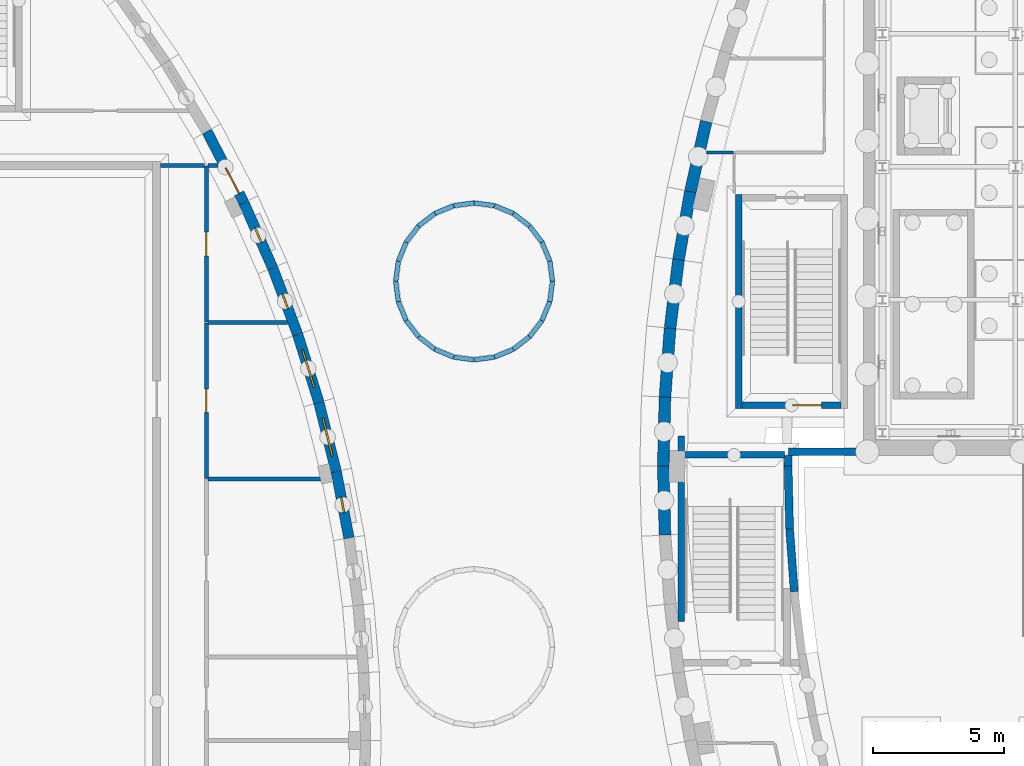
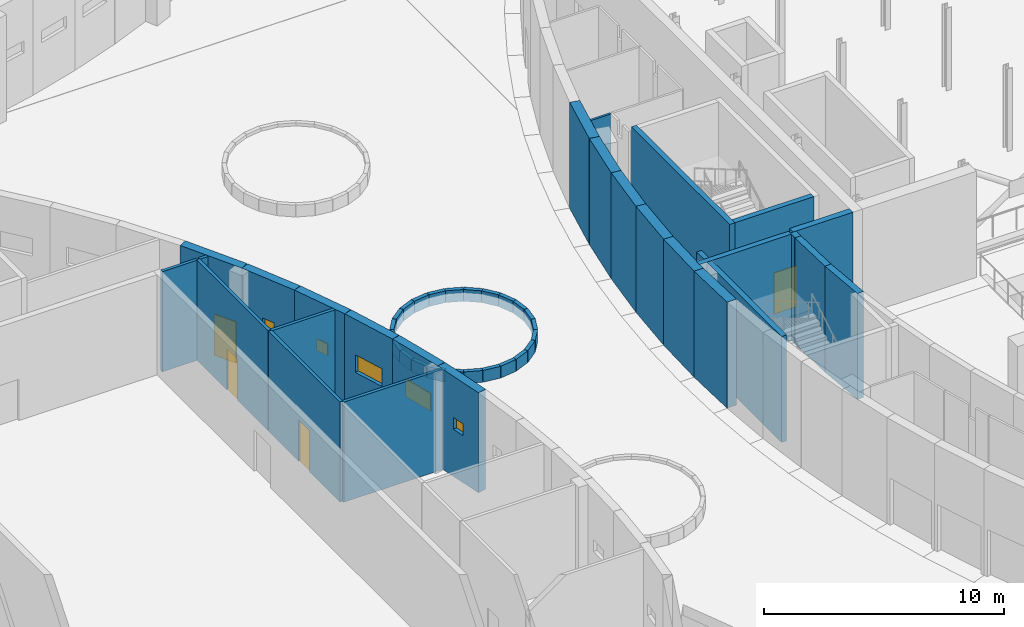
# One storey, part 46 of 82: 51 walls, 5 windows, 4 doors, 9 openings.
"""IFC4 building model written with IfcOpenShell, lengths in metres."""

import ifcopenshell
import ifcopenshell.guid

model = None  # the IFC model being written
_history = None  # IfcOwnerHistory: only IFC2X3 demands one
_inside = {}  # id of a spatial element -> (the spatial element, [elements in it])
_under = {}  # id of a project, library or spatial element -> (it, [spatial elements below it])
_declared = {}  # id of a project -> (the project, [libraries it declares])
_typed = {}  # id of a type object -> (the type object, [elements of that type])
_made_of = {}  # id of a material, layer set ... -> (it, [elements and type objects made of it])


def new_model(schema):
    """Start an empty IFC model of exactly this schema.

    Asked for "IFC4X3", IfcOpenShell would pick the latest addendum, in which some entities
    have other attributes; the version numbers below select the first issue.
    IFC2X3 requires an IfcOwnerHistory on every rooted entity: one is made here for all.
    """
    global model, _history
    if schema == "IFC4X3":
        model = ifcopenshell.file(schema_version=(4, 3, 0, 0))
    else:
        model = ifcopenshell.file(schema=schema)
    _inside.clear()
    _under.clear()
    _declared.clear()
    _typed.clear()
    _made_of.clear()
    _history = None
    if model.schema == "IFC2X3":
        org = make("IfcOrganization", Name="unknown")
        user = make(
            "IfcPersonAndOrganization",
            ThePerson=make("IfcPerson", FamilyName="unknown"),
            TheOrganization=org,
        )
        app = make(
            "IfcApplication",
            ApplicationDeveloper=org,
            Version="unknown",
            ApplicationFullName="unknown",
            ApplicationIdentifier="unknown",
        )
        _history = make(
            "IfcOwnerHistory",
            OwningUser=user,
            OwningApplication=app,
            ChangeAction="ADDED",
            CreationDate=0,
        )
    return model


def make(cls, **values):
    """One entity of the class cls with the attributes given. An attribute that is None is left unset."""
    return model.create_entity(
        cls, **{name: value for name, value in values.items() if value is not None}
    )


def rooted(cls, **values):
    """An entity with a GlobalId (a new one), such as an element, a storey or a relation."""
    return make(cls, GlobalId=ifcopenshell.guid.new(), OwnerHistory=_history, **values)


def si_unit(unit_type, name, prefix=None):
    """IfcSIUnit, for example si_unit("LENGTHUNIT", "METRE", prefix="MILLI")."""
    return make("IfcSIUnit", UnitType=unit_type, Prefix=prefix, Name=name)


def assignment(units):
    """IfcUnitAssignment: the units of a project."""
    return None if units is None else make("IfcUnitAssignment", Units=units)


def point(xyz):
    """IfcCartesianPoint."""
    return None if xyz is None else make("IfcCartesianPoint", Coordinates=xyz)


def direction(xyz):
    """IfcDirection."""
    return None if xyz is None else make("IfcDirection", DirectionRatios=xyz)


def frame(location, z_axis=None, x_axis=None):
    """IfcAxis2Placement3D, a coordinate frame: its origin and axes. An axis left out is left unset."""
    return make(
        "IfcAxis2Placement3D",
        Location=point(location),
        Axis=direction(z_axis),
        RefDirection=direction(x_axis),
    )


def frame_2d(location, x_axis=None):
    """IfcAxis2Placement2D, a coordinate frame in the plane: its origin and x axis."""
    return make(
        "IfcAxis2Placement2D", Location=point(location), RefDirection=direction(x_axis)
    )


def origin():
    """The frame at (0, 0, 0) with its axes left unset."""
    return frame((0.0, 0.0, 0.0))


def place(relative_to, where):
    """IfcLocalPlacement: puts the frame where relative to a parent placement (None: the world)."""
    return make(
        "IfcLocalPlacement", PlacementRelTo=relative_to, RelativePlacement=where
    )


def context(
    kind, dimensions, precision=None, world=None, true_north=None, identifier=None
):
    """IfcGeometricRepresentationContext, for example the 3D "Model" context."""
    return make(
        "IfcGeometricRepresentationContext",
        ContextIdentifier=identifier,
        ContextType=kind,
        CoordinateSpaceDimension=dimensions,
        Precision=precision,
        WorldCoordinateSystem=world,
        TrueNorth=true_north,
    )


def subcontext(parent, identifier, kind, view, scale=None):
    """IfcGeometricRepresentationSubContext, for example "Body" below "Model"."""
    return make(
        "IfcGeometricRepresentationSubContext",
        ContextIdentifier=identifier,
        ContextType=kind,
        ParentContext=parent,
        TargetScale=scale,
        TargetView=view,
    )


def project(units=None, contexts=None):
    """IfcProject with its units and contexts."""
    return rooted(
        "IfcProject",
        Name="project",
        RepresentationContexts=contexts,
        UnitsInContext=assignment(units),
    )


def spatial(cls, under=None, at=None, **own):
    """A site, building, storey or space (cls), placed at a placement, below another one or the project."""
    s = rooted(cls, ObjectPlacement=at, **own)
    if under is not None:
        _under.setdefault(under.id(), (under, []))[1].append(s)
    return s


def profile(cls, at=None, kind="AREA", **sizes):
    """A parametric profile (cls). Its sizes go by their IFC names, for example OverallWidth=200.0."""
    return make(cls, ProfileType=kind, Position=at, **sizes)


def rectangle(**sizes):
    """IfcRectangleProfileDef."""
    return profile("IfcRectangleProfileDef", **sizes)


def extrude(swept, where, along, depth):
    """IfcExtrudedAreaSolid: the profile swept, set in the frame where, extruded along a direction by depth."""
    return make(
        "IfcExtrudedAreaSolid",
        SweptArea=swept,
        Position=where,
        ExtrudedDirection=direction(along),
        Depth=depth,
    )


def shape(context_of_items, identifier, shape_type, items):
    """IfcShapeRepresentation: the items that make up one representation, for example the "Body"."""
    return make(
        "IfcShapeRepresentation",
        ContextOfItems=context_of_items,
        RepresentationIdentifier=identifier,
        RepresentationType=shape_type,
        Items=items,
    )


def material(Name=None, Category=None):
    """IfcMaterial."""
    return make("IfcMaterial", Name=Name, Category=Category)


def layer(
    of_material, thickness, ventilated=None, Name=None, Category=None, Priority=None
):
    """IfcMaterialLayer: one layer of a wall or slab, of a material (None: an air gap)."""
    return make(
        "IfcMaterialLayer",
        Material=of_material,
        LayerThickness=thickness,
        IsVentilated=ventilated,
        Name=Name,
        Category=Category,
        Priority=Priority,
    )


def layer_set(layers, Name=None):
    """IfcMaterialLayerSet."""
    return make("IfcMaterialLayerSet", MaterialLayers=layers, LayerSetName=Name)


def made_of(thing, what):
    """Note that an element or type object is made of a material, layer set ...; save() writes the relation."""
    if what is not None:
        _made_of.setdefault(what.id(), (what, []))[1].append(thing)
    return thing


def type_object(cls, material=None, **own):
    """A type object (cls), such as IfcWallType, which elements share."""
    return made_of(rooted(cls, **own), material)


def element(
    cls,
    number,
    at=None,
    inside=None,
    cuts=None,
    type_object=None,
    material=None,
    context=None,
    identifier="Body",
    shape_type=None,
    held_by="IfcProductDefinitionShape",
    body=None,
    shapes=None,
    **own,
):
    """One element of the class cls, such as IfcWall. Its Tag is "e" and its number.

    at: its placement. inside: the storey or other place that contains it. cuts: it is an
    opening in that element (IfcRelVoidsElement). A single representation is given by context,
    identifier, shape_type and body (its items); several are given by shapes. held_by: the class
    of the entity that holds the representations. save() writes the other relations.
    """
    e = rooted(cls, Tag="e%d" % number, ObjectPlacement=at, **own)
    if body is not None:
        shapes = [shape(context, identifier, shape_type, body)]
    if shapes is not None:
        e.Representation = make(held_by, Representations=shapes)
    if inside is not None:
        _inside.setdefault(inside.id(), (inside, []))[1].append(e)
    if cuts is not None:
        rooted(
            "IfcRelVoidsElement", RelatingBuildingElement=cuts, RelatedOpeningElement=e
        )
    if type_object is not None:
        _typed.setdefault(type_object.id(), (type_object, []))[1].append(e)
    return made_of(e, material)


def fill(opening, filler):
    """IfcRelFillsElement: the door or window that sits in an opening."""
    return rooted(
        "IfcRelFillsElement",
        RelatingOpeningElement=opening,
        RelatedBuildingElement=filler,
    )


def aggregate(whole, parts):
    """IfcRelAggregates: a whole, such as a stair, and the parts it consists of."""
    return rooted("IfcRelAggregates", RelatingObject=whole, RelatedObjects=parts)


def save(model, path):
    """Write the relations noted so far, then the file.

    IfcRelAggregates (storeys below a building ...), IfcRelContainedInSpatialStructure (elements
    in a storey), IfcRelDefinesByType, IfcRelAssociatesMaterial and IfcRelDeclares: one each for
    every whole, place, type object, material and project.
    """
    for whole, parts in _under.values():
        aggregate(whole, parts)
    for where, things in _inside.values():
        rooted(
            "IfcRelContainedInSpatialStructure",
            RelatedElements=things,
            RelatingStructure=where,
        )
    for kind, things in _typed.values():
        rooted("IfcRelDefinesByType", RelatedObjects=things, RelatingType=kind)
    for what, things in _made_of.values():
        rooted("IfcRelAssociatesMaterial", RelatedObjects=things, RelatingMaterial=what)
    for by, libraries in _declared.values():
        rooted("IfcRelDeclares", RelatingContext=by, RelatedDefinitions=libraries)
    model.write(path)


model = new_model("IFC4")

# Units and contexts
model_context = context("Model", 3, precision=1e-05, world=origin(), true_north=direction((0.0, 1.0)))
body_context = subcontext(model_context, "Body", "Model", "MODEL_VIEW")
ifc_project = project(units=[si_unit("LENGTHUNIT", "METRE"), si_unit("AREAUNIT", "SQUARE_METRE"), si_unit("VOLUMEUNIT", "CUBIC_METRE"), si_unit("PLANEANGLEUNIT", "RADIAN"), si_unit("MASSUNIT", "GRAM", prefix="KILO")], contexts=[model_context])

# Site, building, storey
site_placement = place(None, origin())
site = spatial("IfcSite", under=ifc_project, at=site_placement, CompositionType="ELEMENT")
building_placement = place(site_placement, origin())
building = spatial("IfcBuilding", under=site, at=building_placement, Name="Tide Square Theatres", CompositionType="ELEMENT")
storey_placement = place(building_placement, origin())
storey = spatial("IfcBuildingStorey", under=building, at=storey_placement, Name="L00", CompositionType="ELEMENT", Elevation=0.0)

# Walls
ifc_material_1 = material(Name="Gypsum board on steel studs", Category="steel")
ifc_layer_1 = layer(ifc_material_1, 0.10009765625)
ifc_layer_set_1 = layer_set([ifc_layer_1], Name="Gypsum board on steel studs")
wall_type_1 = type_object("IfcWallType", Name="Partition 100 thick", PredefinedType="PARTITIONING", material=ifc_layer_set_1)
wall_1_placement = place(storey_placement, frame((65.570068359375, 67.0, 0.0), z_axis=(0.0, 0.0, 1.0), x_axis=(-1.0, 0.0, 0.0)))
element("IfcWall", 1, at=wall_1_placement, inside=storey, type_object=wall_type_1, Name="Partition", PredefinedType="PARTITIONING", context=body_context, shape_type="SweptSolid", body=[
    extrude(rectangle(XDim=1.035400390625, YDim=0.10009765625, at=frame_2d((0.517578125, 0.0))), origin(), (0.0, 0.0, 1.0), 5.14990234375),
])
ifc_material_2 = material(Name="Gypsum board on steel studs", Category="steel")
ifc_layer_2 = layer(ifc_material_2, 0.14990234375)
ifc_layer_set_2 = layer_set([ifc_layer_2], Name="Gypsum board on steel studs")
wall_type_2 = type_object("IfcWallType", Name="Partition 150 thick", PredefinedType="PARTITIONING", material=ifc_layer_set_2)
wall_2_placement = place(storey_placement, frame((45.340087890625, 66.5, 0.0), z_axis=(0.0, 0.0, 1.0), x_axis=(-1.0, 0.0, 0.0)))
element("IfcWall", 2, at=wall_2_placement, inside=storey, type_object=wall_type_2, Name="Studio Theatre partition", PredefinedType="PARTITIONING", context=body_context, shape_type="SweptSolid", body=[
    extrude(rectangle(XDim=1.690673828125, YDim=0.14990234375, at=frame_2d((0.84521484375, 0.0))), origin(), (0.0, 0.0, 1.0), 5.10009765625),
])
wall_3_placement = place(storey_placement, frame((45.856689453125, 66.5, 0.0), z_axis=(0.0, 0.0, 1.0), x_axis=(-1.0, 0.0, 0.0)))
element("IfcWall", 3, at=wall_3_placement, inside=storey, type_object=wall_type_2, Name="Studio Theatre partition", PredefinedType="PARTITIONING", context=body_context, shape_type="SweptSolid", body=[
    extrude(rectangle(XDim=0.396728515625, YDim=0.14990234375, at=frame_2d((0.1982421875, 0.0))), origin(), (0.0, 0.0, 1.0), 5.10009765625),
])

# Wall, opening, door
wall_4_placement = place(storey_placement, frame((45.39990234375, 60.47998046875, 0.0), z_axis=(0.0, 0.0, 1.0), x_axis=(0.0, -1.0, 0.0)))
wall_4 = element("IfcWall", 4, at=wall_4_placement, inside=storey, type_object=wall_type_2, Name="Studio Theatre partition", PredefinedType="PARTITIONING", context=body_context, shape_type="SweptSolid", body=[
    extrude(rectangle(XDim=5.9599609375, YDim=0.14990234375, at=frame_2d((2.97998046875, 0.0))), origin(), (0.0, 0.0, 1.0), 5.10009765625),
])
opening_1_placement = place(wall_4_placement, frame((2.530029296875, 0.0, 0.0)))
opening_1 = element("IfcOpeningElement", 5, at=opening_1_placement, cuts=wall_4, Name="Opening S00-23", PredefinedType="OPENING", context=body_context, shape_type="SweptSolid", body=[
    extrude(rectangle(XDim=0.89990234375, YDim=2.10009765625, at=frame_2d((0.449951171875, 1.050048828125))), frame((0.0, 0.0849609375, 0.0), z_axis=(0.0, -1.0, 0.0), x_axis=(1.0, 0.0, 0.0)), (0.0, 0.0, 1.0), 0.169921875),
])
ifc_material_3 = material(Name="Hardwood timber", Category="wood")
door_type_1 = type_object("IfcDoorType", Name="Door 900 x 2100 single leaf", OperationType="NOTDEFINED", PredefinedType="DOOR", material=ifc_material_3)
door_1_placement = place(opening_1_placement, origin())
door_1 = element("IfcDoor", 6, at=door_1_placement, inside=storey, type_object=door_type_1, Name="Store 01 door", OperationType="SINGLE_SWING_RIGHT", OverallHeight=2.10009765625, OverallWidth=0.89990234375, PredefinedType="DOOR", context=body_context, shape_type="SweptSolid", body=[
    extrude(rectangle(XDim=0.89990234375, YDim=2.10009765625, at=frame_2d((0.449951171875, 1.050048828125))), frame((0.0, 0.02490234375, 0.0), z_axis=(0.0, -1.0, 0.0), x_axis=(1.0, 0.0, 0.0)), (0.0, 0.0, 1.0), 0.050048828125),
])
fill(opening_1, door_1)

wall_5_placement = place(storey_placement, frame((45.39990234375, 66.47998046875, 0.0), z_axis=(0.0, 0.0, 1.0), x_axis=(0.0, -1.0, 0.0)))
wall_5 = element("IfcWall", 7, at=wall_5_placement, inside=storey, type_object=wall_type_2, Name="Studio Theatre partition", PredefinedType="PARTITIONING", context=body_context, shape_type="SweptSolid", body=[
    extrude(rectangle(XDim=5.9599609375, YDim=0.14990234375, at=frame_2d((2.97998046875, 0.0))), origin(), (0.0, 0.0, 1.0), 5.10009765625),
])
opening_2_placement = place(wall_5_placement, frame((2.530029296875, 0.0, 0.0)))
opening_2 = element("IfcOpeningElement", 8, at=opening_2_placement, cuts=wall_5, Name="Opening S00-24", PredefinedType="OPENING", context=body_context, shape_type="SweptSolid", body=[
    extrude(rectangle(XDim=0.89990234375, YDim=2.10009765625, at=frame_2d((0.449951171875, 1.050048828125))), frame((0.0, 0.0849609375, 0.0), z_axis=(0.0, -1.0, 0.0), x_axis=(1.0, 0.0, 0.0)), (0.0, 0.0, 1.0), 0.169921875),
])
door_2_placement = place(opening_2_placement, origin())
door_2 = element("IfcDoor", 9, at=door_2_placement, inside=storey, type_object=door_type_1, Name="Switch Room door", OperationType="SINGLE_SWING_RIGHT", OverallHeight=2.10009765625, OverallWidth=0.89990234375, PredefinedType="DOOR", context=body_context, shape_type="SweptSolid", body=[
    extrude(rectangle(XDim=0.89990234375, YDim=2.10009765625, at=frame_2d((0.449951171875, 1.050048828125))), frame((0.0, 0.02490234375, 0.0), z_axis=(0.0, -1.0, 0.0), x_axis=(1.0, 0.0, 0.0)), (0.0, 0.0, 1.0), 0.050048828125),
])
fill(opening_2, door_2)

# Walls
wall_6_placement = place(storey_placement, frame((45.4599609375, 54.5, 0.0), z_axis=(0.0, 0.0, 1.0), x_axis=(1.0, 0.0, 0.0)))
element("IfcWall", 10, at=wall_6_placement, inside=storey, type_object=wall_type_2, Name="Studio Theatre partition", PredefinedType="PARTITIONING", context=body_context, shape_type="SweptSolid", body=[
    extrude(rectangle(XDim=4.7646484375, YDim=0.14990234375, at=frame_2d((2.38232421875, 0.0))), origin(), (0.0, 0.0, 1.0), 5.10009765625),
])
wall_7_placement = place(storey_placement, frame((45.4599609375, 60.5, 0.0), z_axis=(0.0, 0.0, 1.0), x_axis=(1.0, 0.0, 0.0)))
element("IfcWall", 11, at=wall_7_placement, inside=storey, type_object=wall_type_2, Name="Studio Theatre partition", PredefinedType="PARTITIONING", context=body_context, shape_type="SweptSolid", body=[
    extrude(rectangle(XDim=3.0400390625, YDim=0.14990234375, at=frame_2d((1.52001953125, 0.0))), origin(), (0.0, 0.0, 1.0), 5.10009765625),
])

# Wall, opening, window
ifc_material_4 = material(Name="Concrete C40", Category="concrete")
ifc_layer_3 = layer(ifc_material_4, 0.39990234375)
ifc_layer_set_3 = layer_set([ifc_layer_3], Name="Concrete C40")
wall_type_3 = type_object("IfcWallType", Name="RC curved wall 400 thick", PredefinedType="SOLIDWALL", material=ifc_layer_set_3)
wall_8_placement = place(storey_placement, frame((50.8603515625, 52.24951171875, 0.0), z_axis=(0.0, 0.0, 1.0), x_axis=(-0.188763210152, 0.982022632373, 0.0)))
wall_8 = element("IfcWall", 12, at=wall_8_placement, inside=storey, type_object=wall_type_3, Name="Studio Theatre perimeter wall", PredefinedType="SOLIDWALL", context=body_context, shape_type="SweptSolid", body=[
    extrude(rectangle(XDim=2.58154296875, YDim=0.39990234375, at=frame_2d((1.290771484375, 0.0))), origin(), (0.0, 0.0, 1.0), 5.10009765625),
])
opening_3_placement = place(wall_8_placement, frame((0.99072265625, 0.0, 2.39990234375)))
opening_3 = element("IfcOpeningElement", 13, at=opening_3_placement, cuts=wall_8, Name="Opening WN-13", PredefinedType="OPENING", context=body_context, shape_type="SweptSolid", body=[
    extrude(rectangle(XDim=0.60009765625, YDim=0.60009765625, at=frame_2d((0.300048828125, 0.300048828125))), frame((0.0, 0.2099609375, 0.0), z_axis=(0.0, -1.0, 0.0), x_axis=(1.0, 0.0, 0.0)), (0.0, 0.0, 1.0), 0.419921875),
])
ifc_material_5 = material(Name="Aluminium with laminated glass", Category="aluminium")
window_type_1 = type_object("IfcWindowType", Name="Window 600 x 600", PartitioningType="SINGLE_PANEL", PredefinedType="WINDOW", material=ifc_material_5)
window_1_placement = place(opening_3_placement, origin())
window_1 = element("IfcWindow", 14, at=window_1_placement, inside=storey, type_object=window_type_1, Name="Studio Theatre Plant Room 01 window", OverallHeight=0.60009765625, OverallWidth=0.60009765625, PartitioningType="SINGLE_PANEL", PredefinedType="WINDOW", context=body_context, shape_type="SweptSolid", body=[
    extrude(rectangle(XDim=0.60009765625, YDim=0.60009765625, at=frame_2d((0.300048828125, 0.300048828125))), frame((0.0, 0.030029296875, 0.0), z_axis=(0.0, -1.0, 0.0), x_axis=(1.0, 0.0, 0.0)), (0.0, 0.0, 1.0), 0.06005859375),
])
fill(opening_3, window_1)

wall_9_placement = place(storey_placement, frame((50.37060546875, 54.79541015625, 0.0), z_axis=(0.0, 0.0, 1.0), x_axis=(-0.2430011368, 0.970026003525, 0.0)))
wall_9 = element("IfcWall", 15, at=wall_9_placement, inside=storey, type_object=wall_type_3, Name="Studio Theatre perimeter wall", PredefinedType="SOLIDWALL", context=body_context, shape_type="SweptSolid", body=[
    extrude(rectangle(XDim=2.714599609375, YDim=0.39990234375, at=frame_2d((1.357421875, 0.0))), origin(), (0.0, 0.0, 1.0), 5.10009765625),
])
opening_4_placement = place(wall_9_placement, frame((0.607421875, 0.0, 2.39990234375)))
opening_4 = element("IfcOpeningElement", 16, at=opening_4_placement, cuts=wall_9, Name="Opening WN-04", PredefinedType="OPENING", context=body_context, shape_type="SweptSolid", body=[
    extrude(rectangle(XDim=1.5, YDim=0.89990234375, at=frame_2d((0.75, 0.449951171875))), frame((0.0, 0.2099609375, 0.0), z_axis=(0.0, -1.0, 0.0), x_axis=(1.0, 0.0, 0.0)), (0.0, 0.0, 1.0), 0.419921875),
])
ifc_material_6 = material(Name="Aluminium with laminated glass", Category="aluminium")
window_type_2 = type_object("IfcWindowType", Name="Window 1500 x 900", PartitioningType="SINGLE_PANEL", PredefinedType="WINDOW", material=ifc_material_6)
window_2_placement = place(opening_4_placement, origin())
window_2 = element("IfcWindow", 17, at=window_2_placement, inside=storey, type_object=window_type_2, Name="Studio Theatre Store 01 window", OverallHeight=0.89990234375, OverallWidth=1.5, PartitioningType="SINGLE_PANEL", PredefinedType="WINDOW", context=body_context, shape_type="SweptSolid", body=[
    extrude(rectangle(XDim=1.5, YDim=0.89990234375, at=frame_2d((0.75, 0.449951171875))), frame((0.0, 0.030029296875, 0.0), z_axis=(0.0, -1.0, 0.0), x_axis=(1.0, 0.0, 0.0)), (0.0, 0.0, 1.0), 0.06005859375),
])
fill(opening_4, window_2)

wall_10_placement = place(storey_placement, frame((49.7080078125, 57.439697265625, 0.0), z_axis=(0.0, 0.0, 1.0), x_axis=(-0.29795748067, 0.954579142718, 0.0)))
wall_10 = element("IfcWall", 18, at=wall_10_placement, inside=storey, type_object=wall_type_3, Name="Studio Theatre perimeter wall", PredefinedType="SOLIDWALL", context=body_context, shape_type="SweptSolid", body=[
    extrude(rectangle(XDim=2.714599609375, YDim=0.39990234375, at=frame_2d((1.357421875, 0.0))), origin(), (0.0, 0.0, 1.0), 5.10009765625),
])
opening_5_placement = place(wall_10_placement, frame((0.607177734375, 0.0, 2.39990234375)))
opening_5 = element("IfcOpeningElement", 19, at=opening_5_placement, cuts=wall_10, Name="Opening WN-04", PredefinedType="OPENING", context=body_context, shape_type="SweptSolid", body=[
    extrude(rectangle(XDim=1.5, YDim=0.89990234375, at=frame_2d((0.75, 0.449951171875))), frame((0.0, 0.2099609375, 0.0), z_axis=(0.0, -1.0, 0.0), x_axis=(1.0, 0.0, 0.0)), (0.0, 0.0, 1.0), 0.419921875),
])
window_3_placement = place(opening_5_placement, origin())
window_3 = element("IfcWindow", 20, at=window_3_placement, inside=storey, type_object=window_type_2, Name="Studio Theatre Store 01 window", OverallHeight=0.89990234375, OverallWidth=1.5, PartitioningType="SINGLE_PANEL", PredefinedType="WINDOW", context=body_context, shape_type="SweptSolid", body=[
    extrude(rectangle(XDim=1.5, YDim=0.89990234375, at=frame_2d((0.75, 0.449951171875))), frame((0.0, 0.030029296875, 0.0), z_axis=(0.0, -1.0, 0.0), x_axis=(1.0, 0.0, 0.0)), (0.0, 0.0, 1.0), 0.06005859375),
])
fill(opening_5, window_3)

wall_11_placement = place(storey_placement, frame((48.8955078125, 60.041748046875, 0.0), z_axis=(0.0, 0.0, 1.0), x_axis=(-0.351862601417, 0.936051659752, 0.0)))
wall_11 = element("IfcWall", 21, at=wall_11_placement, inside=storey, type_object=wall_type_3, Name="Studio Theatre perimeter wall", PredefinedType="SOLIDWALL", context=body_context, shape_type="SweptSolid", body=[
    extrude(rectangle(XDim=2.71435546875, YDim=0.39990234375, at=frame_2d((1.357177734375, 0.0))), origin(), (0.0, 0.0, 1.0), 5.10009765625),
])
opening_6_placement = place(wall_11_placement, frame((1.05712890625, 0.0, 2.39990234375)))
opening_6 = element("IfcOpeningElement", 22, at=opening_6_placement, cuts=wall_11, Name="Opening WN-13", PredefinedType="OPENING", context=body_context, shape_type="SweptSolid", body=[
    extrude(rectangle(XDim=0.60009765625, YDim=0.60009765625, at=frame_2d((0.300048828125, 0.300048828125))), frame((0.0, 0.2099609375, 0.0), z_axis=(0.0, -1.0, 0.0), x_axis=(1.0, 0.0, 0.0)), (0.0, 0.0, 1.0), 0.419921875),
])
window_4_placement = place(opening_6_placement, origin())
window_4 = element("IfcWindow", 23, at=window_4_placement, inside=storey, type_object=window_type_1, Name="Studio Theatre Switch Room window", OverallHeight=0.60009765625, OverallWidth=0.60009765625, PartitioningType="SINGLE_PANEL", PredefinedType="WINDOW", context=body_context, shape_type="SweptSolid", body=[
    extrude(rectangle(XDim=0.60009765625, YDim=0.60009765625, at=frame_2d((0.300048828125, 0.300048828125))), frame((0.0, 0.030029296875, 0.0), z_axis=(0.0, -1.0, 0.0), x_axis=(1.0, 0.0, 0.0)), (0.0, 0.0, 1.0), 0.06005859375),
])
fill(opening_6, window_4)

wall_12_placement = place(storey_placement, frame((47.93603515625, 62.593017578125, 0.0), z_axis=(0.0, 0.0, 1.0), x_axis=(-0.404652153757, 0.914470685402, 0.0)))
wall_12 = element("IfcWall", 24, at=wall_12_placement, inside=storey, type_object=wall_type_3, Name="Studio Theatre perimeter wall", PredefinedType="SOLIDWALL", context=body_context, shape_type="SweptSolid", body=[
    extrude(rectangle(XDim=2.7138671875, YDim=0.39990234375, at=frame_2d((1.35693359375, 0.0))), origin(), (0.0, 0.0, 1.0), 5.10009765625),
])
opening_7_placement = place(wall_12_placement, frame((1.056884765625, 0.0, 2.39990234375)))
opening_7 = element("IfcOpeningElement", 25, at=opening_7_placement, cuts=wall_12, Name="Opening WN-13", PredefinedType="OPENING", context=body_context, shape_type="SweptSolid", body=[
    extrude(rectangle(XDim=0.60009765625, YDim=0.60009765625, at=frame_2d((0.300048828125, 0.300048828125))), frame((0.0, 0.2099609375, 0.0), z_axis=(0.0, -1.0, 0.0), x_axis=(1.0, 0.0, 0.0)), (0.0, 0.0, 1.0), 0.419921875),
])
window_5_placement = place(opening_7_placement, origin())
window_5 = element("IfcWindow", 26, at=window_5_placement, inside=storey, type_object=window_type_1, Name="Studio Theatre Switch Room window", OverallHeight=0.60009765625, OverallWidth=0.60009765625, PartitioningType="SINGLE_PANEL", PredefinedType="WINDOW", context=body_context, shape_type="SweptSolid", body=[
    extrude(rectangle(XDim=0.60009765625, YDim=0.60009765625, at=frame_2d((0.300048828125, 0.300048828125))), frame((0.0, 0.030029296875, 0.0), z_axis=(0.0, -1.0, 0.0), x_axis=(1.0, 0.0, 0.0)), (0.0, 0.0, 1.0), 0.06005859375),
])
fill(opening_7, window_5)

# Wall, opening, door
wall_13_placement = place(storey_placement, frame((46.832763671875, 65.085693359375, 0.0), z_axis=(0.0, 0.0, 1.0), x_axis=(-0.45930565039, 0.888278289457, 0.0)))
wall_13 = element("IfcWall", 27, at=wall_13_placement, inside=storey, type_object=wall_type_3, Name="Studio Theatre perimeter wall", PredefinedType="SOLIDWALL", context=body_context, shape_type="SweptSolid", body=[
    extrude(rectangle(XDim=3.05859375, YDim=0.39990234375, at=frame_2d((1.529296875, 0.0))), origin(), (0.0, 0.0, 1.0), 5.10009765625),
])
opening_8_placement = place(wall_13_placement, frame((0.3955078125, 0.0, 0.0)))
opening_8 = element("IfcOpeningElement", 28, at=opening_8_placement, cuts=wall_13, Name="Opening S00-03", PredefinedType="OPENING", context=body_context, shape_type="SweptSolid", body=[
    extrude(rectangle(XDim=1.10009765625, YDim=2.10009765625, at=frame_2d((0.550048828125, 1.050048828125))), frame((0.0, 0.2099609375, 0.0), z_axis=(0.0, -1.0, 0.0), x_axis=(1.0, 0.0, 0.0)), (0.0, 0.0, 1.0), 0.419921875),
])
ifc_material_7 = material(Name="Painted steel", Category="steel")
door_type_2 = type_object("IfcDoorType", Name="Door 1100 x 2100 single leaf", OperationType="NOTDEFINED", PredefinedType="DOOR", material=ifc_material_7)
door_3_placement = place(opening_8_placement, frame((1.10009765625, 0.0, 0.0), z_axis=(0.0, 0.0, 1.0), x_axis=(-1.0, 0.0, 0.0)))
door_3 = element("IfcDoor", 29, at=door_3_placement, inside=storey, type_object=door_type_2, Name="Studio Theatre stage door exit north-east", OperationType="SINGLE_SWING_RIGHT", OverallHeight=2.10009765625, OverallWidth=1.10009765625, PredefinedType="DOOR", context=body_context, shape_type="SweptSolid", body=[
    extrude(rectangle(XDim=1.10009765625, YDim=2.10009765625, at=frame_2d((0.550048828125, 1.050048828125))), frame((0.0, 0.02490234375, 0.0), z_axis=(0.0, -1.0, 0.0), x_axis=(1.0, 0.0, 0.0)), (0.0, 0.0, 1.0), 0.050048828125),
])
fill(opening_8, door_3)

# Walls
ifc_material_8 = material(Name="Concrete C40", Category="concrete")
ifc_layer_4 = layer(ifc_material_8, 0.449951171875)
ifc_layer_set_4 = layer_set([ifc_layer_4], Name="Concrete C40")
wall_type_4 = type_object("IfcWallType", Name="RC curved wall 450 thick", PredefinedType="SOLIDWALL", material=ifc_layer_set_4)
wall_14_placement = place(storey_placement, frame((64.5322265625, 68.18798828125, 0.0), z_axis=(0.0, 0.0, 1.0), x_axis=(-0.220347996563, -0.975421324562, 0.0)))
element("IfcWall", 30, at=wall_14_placement, inside=storey, type_object=wall_type_4, Name="Main Theatre perimeter wall", PredefinedType="SOLIDWALL", context=body_context, shape_type="SweptSolid", body=[
    extrude(rectangle(XDim=2.752197265625, YDim=0.449951171875, at=frame_2d((1.3759765625, 0.0))), origin(), (0.0, 0.0, 1.0), 5.39990234375),
])
wall_15_placement = place(storey_placement, frame((63.92578125, 65.50341796875, 0.0), z_axis=(0.0, 0.0, 1.0), x_axis=(-0.171196910379, -0.985236833394, 0.0)))
element("IfcWall", 31, at=wall_15_placement, inside=storey, type_object=wall_type_4, Name="Main Theatre perimeter wall", PredefinedType="SOLIDWALL", context=body_context, shape_type="SweptSolid", body=[
    extrude(rectangle(XDim=2.642578125, YDim=0.449951171875, at=frame_2d((1.3212890625, 0.0))), origin(), (0.0, 0.0, 1.0), 5.39990234375),
])
wall_16_placement = place(storey_placement, frame((63.473388671875, 62.89990234375, 0.0), z_axis=(0.0, 0.0, 1.0), x_axis=(-0.122499610212, -0.992468561466, 0.0)))
element("IfcWall", 32, at=wall_16_placement, inside=storey, type_object=wall_type_4, Name="Main Theatre perimeter wall", PredefinedType="SOLIDWALL", context=body_context, shape_type="SweptSolid", body=[
    extrude(rectangle(XDim=2.642822265625, YDim=0.449951171875, at=frame_2d((1.3212890625, 0.0))), origin(), (0.0, 0.0, 1.0), 5.39990234375),
])
wall_17_placement = place(storey_placement, frame((63.149658203125, 60.277099609375, 0.0), z_axis=(0.0, 0.0, 1.0), x_axis=(-0.07363685767, -0.997285121313, 0.0)))
element("IfcWall", 33, at=wall_17_placement, inside=storey, type_object=wall_type_4, Name="Main Theatre perimeter wall", PredefinedType="SOLIDWALL", context=body_context, shape_type="SweptSolid", body=[
    extrude(rectangle(XDim=2.642333984375, YDim=0.449951171875, at=frame_2d((1.3212890625, 0.0))), origin(), (0.0, 0.0, 1.0), 5.39990234375),
])
for number, where, z_axis, x_axis, name in (
    (34, (62.955078125, 57.641845703125, 0.0), (0.0, 0.0, 1.0), (-0.024666736886, -0.999695729756, 0.0), "Main Theatre perimeter wall"),
    (35, (62.889892578125, 55.0, 0.0), (0.0, 0.0, 1.0), (0.024666736886, -0.999695729756, 0.0), "Main Theatre perimeter wall"),
):
    element("IfcWall", number, at=place(storey_placement, frame(where, z_axis=z_axis, x_axis=x_axis)), inside=storey, type_object=wall_type_4, Name=name, PredefinedType="SOLIDWALL", context=body_context, shape_type="SweptSolid", body=[
        extrude(rectangle(XDim=2.642578125, YDim=0.449951171875, at=frame_2d((1.3212890625, 0.0))), origin(), (0.0, 0.0, 1.0), 5.39990234375),
    ])
ifc_material_9 = material(Name="Concrete C40", Category="concrete")
ifc_layer_5 = layer(ifc_material_9, 0.179931640625)
ifc_layer_set_5 = layer_set([ifc_layer_5], Name="Concrete C40")
wall_type_5 = type_object("IfcWallType", Name="RC parapet 180 thick", PredefinedType="PARAPET", material=ifc_layer_set_5)
wall_18_placement = place(storey_placement, frame((58.64892578125, 62.0693359375, 0.0), z_axis=(0.0, 0.0, 1.0), x_axis=(-0.130591571678, -0.991436251812, 0.0)))
element("IfcWall", 36, at=wall_18_placement, inside=storey, type_object=wall_type_5, Name="Planter wall", PredefinedType="PARAPET", context=body_context, shape_type="SweptSolid", body=[
    extrude(rectangle(XDim=0.783203125, YDim=0.179931640625, at=frame_2d((0.3916015625, 0.0))), origin(), (0.0, 0.0, 1.0), 0.60009765625),
])
wall_19_placement = place(storey_placement, frame((58.546630859375, 61.292724609375, 0.0), z_axis=(0.0, 0.0, 1.0), x_axis=(-0.382599649866, -0.923914231908, 0.0)))
element("IfcWall", 37, at=wall_19_placement, inside=storey, type_object=wall_type_5, Name="Planter wall", PredefinedType="PARAPET", context=body_context, shape_type="SweptSolid", body=[
    extrude(rectangle(XDim=0.782958984375, YDim=0.179931640625, at=frame_2d((0.3916015625, 0.0))), origin(), (0.0, 0.0, 1.0), 0.60009765625),
])
for number, where, z_axis, x_axis, name in (
    (38, (58.2470703125, 60.5693359375, 0.0), (0.0, 0.0, 1.0), (-0.608791411033, -0.793330333374, 0.0), "Planter wall"),
    (39, (57.770263671875, 59.947998046875, 0.0), (0.0, 0.0, 1.0), (-0.793330333374, -0.608791411033, 0.0), "Planter wall"),
    (40, (57.14892578125, 59.47119140625, 0.0), (0.0, 0.0, 1.0), (-0.923849665613, -0.382755529478, 0.0), "Planter wall"),
):
    element("IfcWall", number, at=place(storey_placement, frame(where, z_axis=z_axis, x_axis=x_axis)), inside=storey, type_object=wall_type_5, Name=name, PredefinedType="PARAPET", context=body_context, shape_type="SweptSolid", body=[
        extrude(rectangle(XDim=0.783203125, YDim=0.179931640625, at=frame_2d((0.3916015625, 0.0))), origin(), (0.0, 0.0, 1.0), 0.60009765625),
    ])
wall_20_placement = place(storey_placement, frame((56.42529296875, 59.17138671875, 0.0), z_axis=(0.0, 0.0, 1.0), x_axis=(-0.9914712665, -0.130325468364, 0.0)))
element("IfcWall", 41, at=wall_20_placement, inside=storey, type_object=wall_type_5, Name="Planter wall", PredefinedType="PARAPET", context=body_context, shape_type="SweptSolid", body=[
    extrude(rectangle(XDim=0.782958984375, YDim=0.179931640625, at=frame_2d((0.3916015625, 0.0))), origin(), (0.0, 0.0, 1.0), 0.60009765625),
])
wall_21_placement = place(storey_placement, frame((55.64892578125, 59.0693359375, 0.0), z_axis=(0.0, 0.0, 1.0), x_axis=(-0.991476559602, 0.130285193937, 0.0)))
element("IfcWall", 42, at=wall_21_placement, inside=storey, type_object=wall_type_5, Name="Planter wall", PredefinedType="PARAPET", context=body_context, shape_type="SweptSolid", body=[
    extrude(rectangle(XDim=0.783203125, YDim=0.179931640625, at=frame_2d((0.3916015625, 0.0))), origin(), (0.0, 0.0, 1.0), 0.60009765625),
])
wall_22_placement = place(storey_placement, frame((54.872314453125, 59.17138671875, 0.0), z_axis=(0.0, 0.0, 1.0), x_axis=(-0.923803982713, 0.382865774813, 0.0)))
element("IfcWall", 43, at=wall_22_placement, inside=storey, type_object=wall_type_5, Name="Planter wall", PredefinedType="PARAPET", context=body_context, shape_type="SweptSolid", body=[
    extrude(rectangle(XDim=0.782958984375, YDim=0.179931640625, at=frame_2d((0.3916015625, 0.0))), origin(), (0.0, 0.0, 1.0), 0.60009765625),
])
for number, where, z_axis, x_axis, name in (
    (44, (54.14892578125, 59.47119140625, 0.0), (0.0, 0.0, 1.0), (-0.793330333374, 0.608791411033, 0.0), "Planter wall"),
    (45, (53.527587890625, 59.947998046875, 0.0), (0.0, 0.0, 1.0), (-0.608791411033, 0.793330333374, 0.0), "Planter wall"),
):
    element("IfcWall", number, at=place(storey_placement, frame(where, z_axis=z_axis, x_axis=x_axis)), inside=storey, type_object=wall_type_5, Name=name, PredefinedType="PARAPET", context=body_context, shape_type="SweptSolid", body=[
        extrude(rectangle(XDim=0.783203125, YDim=0.179931640625, at=frame_2d((0.3916015625, 0.0))), origin(), (0.0, 0.0, 1.0), 0.60009765625),
    ])
wall_23_placement = place(storey_placement, frame((53.05078125, 60.5693359375, 0.0), z_axis=(0.0, 0.0, 1.0), x_axis=(-0.382599649866, 0.923914231908, 0.0)))
element("IfcWall", 46, at=wall_23_placement, inside=storey, type_object=wall_type_5, Name="Planter wall", PredefinedType="PARAPET", context=body_context, shape_type="SweptSolid", body=[
    extrude(rectangle(XDim=0.782958984375, YDim=0.179931640625, at=frame_2d((0.3916015625, 0.0))), origin(), (0.0, 0.0, 1.0), 0.60009765625),
])
wall_24_placement = place(storey_placement, frame((52.751220703125, 61.292724609375, 0.0), z_axis=(0.0, 0.0, 1.0), x_axis=(-0.130591571678, 0.991436251812, 0.0)))
element("IfcWall", 47, at=wall_24_placement, inside=storey, type_object=wall_type_5, Name="Planter wall", PredefinedType="PARAPET", context=body_context, shape_type="SweptSolid", body=[
    extrude(rectangle(XDim=0.783203125, YDim=0.179931640625, at=frame_2d((0.3916015625, 0.0))), origin(), (0.0, 0.0, 1.0), 0.60009765625),
])
wall_25_placement = place(storey_placement, frame((52.64892578125, 62.0693359375, 0.0), z_axis=(0.0, 0.0, 1.0), x_axis=(0.130631937531, 0.991430934002, 0.0)))
element("IfcWall", 48, at=wall_25_placement, inside=storey, type_object=wall_type_5, Name="Planter wall", PredefinedType="PARAPET", context=body_context, shape_type="SweptSolid", body=[
    extrude(rectangle(XDim=0.782958984375, YDim=0.179931640625, at=frame_2d((0.3916015625, 0.0))), origin(), (0.0, 0.0, 1.0), 0.60009765625),
])
for number, where, z_axis, x_axis, name in (
    (49, (52.751220703125, 62.845703125, 0.0), (0.0, 0.0, 1.0), (0.382489454875, 0.923959856763, 0.0), "Planter wall"),
    (50, (53.05078125, 63.5693359375, 0.0), (0.0, 0.0, 1.0), (0.608791411033, 0.793330333374, 0.0), "Planter wall"),
    (51, (53.527587890625, 64.190673828125, 0.0), (0.0, 0.0, 1.0), (0.793330333374, 0.608791411033, 0.0), "Planter wall"),
):
    element("IfcWall", number, at=place(storey_placement, frame(where, z_axis=z_axis, x_axis=x_axis)), inside=storey, type_object=wall_type_5, Name=name, PredefinedType="PARAPET", context=body_context, shape_type="SweptSolid", body=[
        extrude(rectangle(XDim=0.783203125, YDim=0.179931640625, at=frame_2d((0.3916015625, 0.0))), origin(), (0.0, 0.0, 1.0), 0.60009765625),
    ])
wall_26_placement = place(storey_placement, frame((54.14892578125, 64.66748046875, 0.0), z_axis=(0.0, 0.0, 1.0), x_axis=(0.923914231908, 0.382599649866, 0.0)))
element("IfcWall", 52, at=wall_26_placement, inside=storey, type_object=wall_type_5, Name="Planter wall", PredefinedType="PARAPET", context=body_context, shape_type="SweptSolid", body=[
    extrude(rectangle(XDim=0.782958984375, YDim=0.179931640625, at=frame_2d((0.3916015625, 0.0))), origin(), (0.0, 0.0, 1.0), 0.60009765625),
])
wall_27_placement = place(storey_placement, frame((54.872314453125, 64.967041015625, 0.0), z_axis=(0.0, 0.0, 1.0), x_axis=(0.991436251812, 0.130591571678, 0.0)))
element("IfcWall", 53, at=wall_27_placement, inside=storey, type_object=wall_type_5, Name="Planter wall", PredefinedType="PARAPET", context=body_context, shape_type="SweptSolid", body=[
    extrude(rectangle(XDim=0.783203125, YDim=0.179931640625, at=frame_2d((0.3916015625, 0.0))), origin(), (0.0, 0.0, 1.0), 0.60009765625),
])
wall_28_placement = place(storey_placement, frame((55.64892578125, 65.0693359375, 0.0), z_axis=(0.0, 0.0, 1.0), x_axis=(0.991430934002, -0.130631937531, 0.0)))
element("IfcWall", 54, at=wall_28_placement, inside=storey, type_object=wall_type_5, Name="Planter wall", PredefinedType="PARAPET", context=body_context, shape_type="SweptSolid", body=[
    extrude(rectangle(XDim=0.782958984375, YDim=0.179931640625, at=frame_2d((0.3916015625, 0.0))), origin(), (0.0, 0.0, 1.0), 0.60009765625),
])
for number, where, z_axis, x_axis, name in (
    (55, (56.42529296875, 64.967041015625, 0.0), (0.0, 0.0, 1.0), (0.923959856763, -0.382489454875, 0.0), "Planter wall"),
    (56, (57.14892578125, 64.66748046875, 0.0), (0.0, 0.0, 1.0), (0.793330333374, -0.608791411033, 0.0), "Planter wall"),
    (57, (57.770263671875, 64.190673828125, 0.0), (0.0, 0.0, 1.0), (0.608791411033, -0.793330333374, 0.0), "Planter wall"),
    (58, (58.2470703125, 63.5693359375, 0.0), (0.0, 0.0, 1.0), (0.382489454875, -0.923959856763, 0.0), "Planter wall"),
):
    element("IfcWall", number, at=place(storey_placement, frame(where, z_axis=z_axis, x_axis=x_axis)), inside=storey, type_object=wall_type_5, Name=name, PredefinedType="PARAPET", context=body_context, shape_type="SweptSolid", body=[
        extrude(rectangle(XDim=0.783203125, YDim=0.179931640625, at=frame_2d((0.3916015625, 0.0))), origin(), (0.0, 0.0, 1.0), 0.60009765625),
    ])
wall_29_placement = place(storey_placement, frame((58.546630859375, 62.845703125, 0.0), z_axis=(0.0, 0.0, 1.0), x_axis=(0.130631937531, -0.991430934002, 0.0)))
element("IfcWall", 59, at=wall_29_placement, inside=storey, type_object=wall_type_5, Name="Planter wall", PredefinedType="PARAPET", context=body_context, shape_type="SweptSolid", body=[
    extrude(rectangle(XDim=0.782958984375, YDim=0.179931640625, at=frame_2d((0.3916015625, 0.0))), origin(), (0.0, 0.0, 1.0), 0.60009765625),
])
ifc_material_10 = material(Name="Concrete C40", Category="concrete")
ifc_layer_6 = layer(ifc_material_10, 0.25)
ifc_layer_set_6 = layer_set([ifc_layer_6], Name="Concrete C40")
wall_type_6 = type_object("IfcWallType", Name="RC shear wall 250 thick", PredefinedType="SHEAR", material=ifc_layer_set_6)
wall_30_placement = place(storey_placement, frame((65.77490234375, 65.39990234375, 0.0), z_axis=(0.0, 0.0, 1.0), x_axis=(0.0, -1.0, 0.0)))
element("IfcWall", 60, at=wall_30_placement, inside=storey, type_object=wall_type_6, Name="Main Theatre West Stair shaft wall", PredefinedType="SHEAR", context=body_context, shape_type="SweptSolid", body=[
    extrude(rectangle(XDim=8.199951171875, YDim=0.25, at=frame_2d((4.10009765625, 0.0))), origin(), (0.0, 0.0, 1.0), 5.39990234375),
])

# Wall, opening, door
wall_31_placement = place(storey_placement, frame((69.699951171875, 57.324951171875, 0.0), z_axis=(0.0, 0.0, 1.0), x_axis=(-1.0, 0.0, 0.0)))
wall_31 = element("IfcWall", 61, at=wall_31_placement, inside=storey, type_object=wall_type_6, Name="Main Theatre West Stair shaft wall", PredefinedType="SHEAR", context=body_context, shape_type="SweptSolid", body=[
    extrude(rectangle(XDim=3.800048828125, YDim=0.25, at=frame_2d((1.89990234375, 0.0))), origin(), (0.0, 0.0, 1.0), 5.39990234375),
])
opening_9_placement = place(wall_31_placement, frame((0.75, 0.0, 0.0)))
opening_9 = element("IfcOpeningElement", 62, at=opening_9_placement, cuts=wall_31, Name="Opening M00-01", PredefinedType="OPENING", context=body_context, shape_type="SweptSolid", body=[
    extrude(rectangle(XDim=1.10009765625, YDim=2.10009765625, at=frame_2d((0.550048828125, 1.050048828125))), frame((0.0, 0.135009765625, 0.0), z_axis=(0.0, -1.0, 0.0), x_axis=(1.0, 0.0, 0.0)), (0.0, 0.0, 1.0), 0.27001953125),
])
door_4_placement = place(opening_9_placement, origin())
door_4 = element("IfcDoor", 63, at=door_4_placement, inside=storey, type_object=door_type_2, Name="Main Theatre West Stair stair door", OperationType="SINGLE_SWING_RIGHT", OverallHeight=2.10009765625, OverallWidth=1.10009765625, PredefinedType="DOOR", context=body_context, shape_type="SweptSolid", body=[
    extrude(rectangle(XDim=1.10009765625, YDim=2.10009765625, at=frame_2d((0.550048828125, 1.050048828125))), frame((0.0, 0.02490234375, 0.0), z_axis=(0.0, -1.0, 0.0), x_axis=(1.0, 0.0, 0.0)), (0.0, 0.0, 1.0), 0.050048828125),
])
fill(opening_9, door_4)

# Walls
wall_32_placement = place(storey_placement, frame((63.574951171875, 56.14990234375, 0.0), z_axis=(0.0, 0.0, 1.0), x_axis=(0.0, -1.0, 0.0)))
element("IfcWall", 64, at=wall_32_placement, inside=storey, type_object=wall_type_6, Name="Main Theatre West Circle Stair shaft wall", PredefinedType="SHEAR", context=body_context, shape_type="SweptSolid", body=[
    extrude(rectangle(XDim=7.089111328125, YDim=0.25, at=frame_2d((3.54443359375, 0.0))), origin(), (0.0, 0.0, 1.0), 5.39990234375),
])
wall_33_placement = place(storey_placement, frame((63.10009765625, 55.425048828125, 0.0), z_axis=(0.0, 0.0, 1.0), x_axis=(1.0, 0.0, 0.0)))
element("IfcWall", 65, at=wall_33_placement, inside=storey, type_object=wall_type_6, Name="Main Theatre West Circle Stair shaft wall", PredefinedType="SHEAR", context=body_context, shape_type="SweptSolid", body=[
    extrude(rectangle(XDim=4.419921875, YDim=0.25, at=frame_2d((2.2099609375, 0.0))), origin(), (0.0, 0.0, 1.0), 5.39990234375),
])
ifc_material_11 = material(Name="Concrete C40", Category="concrete")
ifc_layer_7 = layer(ifc_material_11, 0.300048828125)
ifc_layer_set_7 = layer_set([ifc_layer_7], Name="Concrete C40")
wall_type_7 = type_object("IfcWallType", Name="RC shear wall 300 thick", PredefinedType="SHEAR", material=ifc_layer_set_7)
wall_34_placement = place(storey_placement, frame((67.67626953125, 55.39990234375, 0.0), z_axis=(0.0, 0.0, 1.0), x_axis=(-0.024412746386, -0.999701964494, 0.0)))
element("IfcWall", 66, at=wall_34_placement, inside=storey, type_object=wall_type_7, Name="Main Theatre auditorium wall", PredefinedType="SHEAR", context=body_context, shape_type="SweptSolid", body=[
    extrude(rectangle(XDim=0.39990234375, YDim=0.300048828125, at=frame_2d((0.199951171875, 0.0))), origin(), (0.0, 0.0, 1.0), 5.39990234375),
])
for number, where, z_axis, x_axis, name in (
    (67, (67.66650390625, 55.0, 0.0), (0.0, 0.0, 1.0), (0.024536221488, -0.999698941599, 0.0), "Main Theatre auditorium wall"),
    (68, (67.7255859375, 52.5927734375, 0.0), (0.0, 0.0, 1.0), (0.073711091533, -0.997279637306, 0.0), "Main Theatre auditorium wall"),
):
    element("IfcWall", number, at=place(storey_placement, frame(where, z_axis=z_axis, x_axis=x_axis)), inside=storey, type_object=wall_type_7, Name=name, PredefinedType="SHEAR", context=body_context, shape_type="SweptSolid", body=[
        extrude(rectangle(XDim=2.407958984375, YDim=0.300048828125, at=frame_2d((1.2041015625, 0.0))), origin(), (0.0, 0.0, 1.0), 5.39990234375),
    ])
wall_35_placement = place(storey_placement, frame((67.67626953125, 55.550048828125, 0.0), z_axis=(0.0, 0.0, 1.0), x_axis=(1.0, 0.0, 0.0)))
element("IfcWall", 69, at=wall_35_placement, inside=storey, type_object=wall_type_7, Name="Main Theatre auditorium wall", PredefinedType="SHEAR", context=body_context, shape_type="SweptSolid", body=[
    extrude(rectangle(XDim=2.873779296875, YDim=0.300048828125, at=frame_2d((1.43701171875, 0.0))), origin(), (0.0, 0.0, 1.0), 5.39990234375),
])

save(model, "model.ifc")
